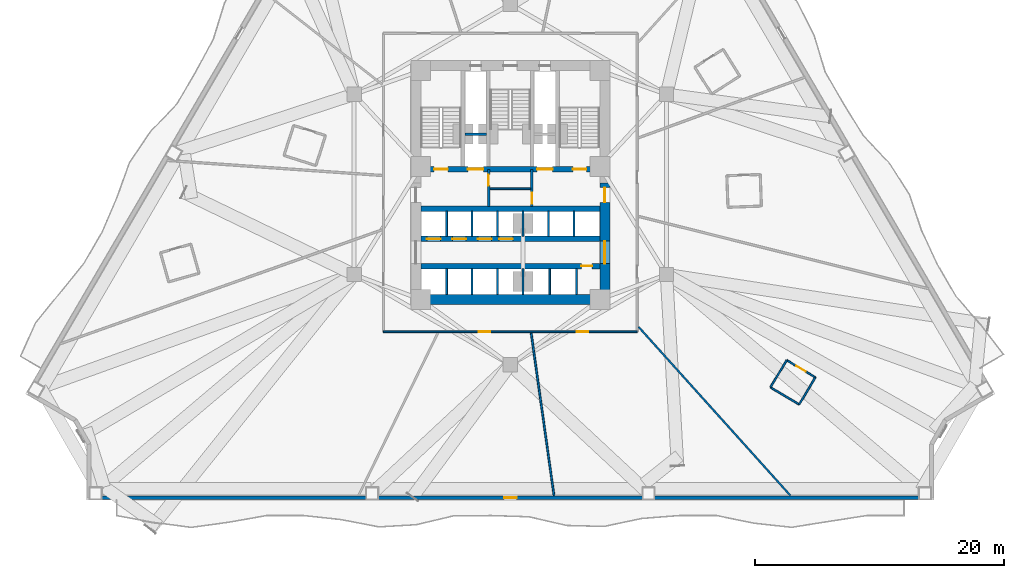
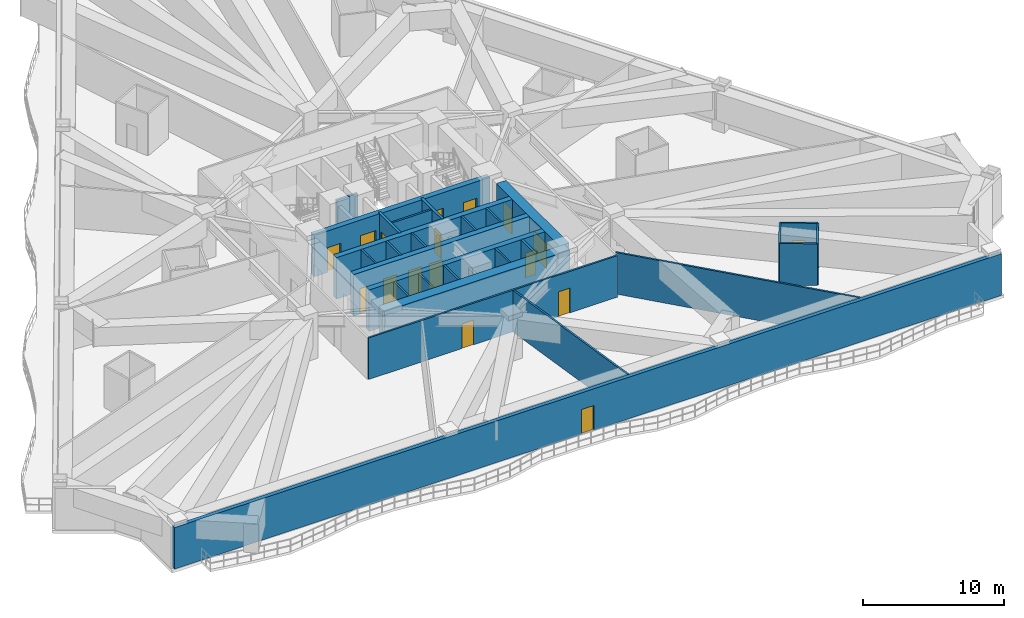
# One storey, part 8 of 16: 30 walls, 17 doors, 17 openings.
"""IFC4 building model written with IfcOpenShell, lengths in metres."""

from ifc_helpers import new_model, si_unit, direction, frame, frame_2d, origin, place, context, subcontext, project, spatial, rectangle, extrude, material, layer, layer_set, type_object, element, fill, save


model = new_model("IFC4")

# Units and contexts
model_context = context("Model", 3, precision=1e-05, world=origin(), true_north=direction((0.0, 1.0)))
body_context = subcontext(model_context, "Body", "Model", "MODEL_VIEW")
ifc_project = project(units=[si_unit("LENGTHUNIT", "METRE"), si_unit("AREAUNIT", "SQUARE_METRE"), si_unit("VOLUMEUNIT", "CUBIC_METRE"), si_unit("PLANEANGLEUNIT", "RADIAN"), si_unit("MASSUNIT", "GRAM", prefix="KILO")], contexts=[model_context])

# Site, building, storey
site_placement = place(None, origin())
site = spatial("IfcSite", under=ifc_project, at=site_placement, CompositionType="ELEMENT")
building_placement = place(site_placement, origin())
building = spatial("IfcBuilding", under=site, at=building_placement, Name="Apsidion Concourse Tower", CompositionType="ELEMENT")
storey_placement = place(building_placement, frame((0.0, 0.0, 58.39990234375)))
storey = spatial("IfcBuildingStorey", under=building, at=storey_placement, Name="L12", CompositionType="ELEMENT", Elevation=58.39990234375)

# Wall, opening, door
ifc_material_1 = material(Name="Precast concrete C40/50", Category="concrete")
ifc_layer_1 = layer(ifc_material_1, 0.320068359375)
ifc_layer_set_1 = layer_set([ifc_layer_1], Name="Precast concrete C40/50")
wall_type_1 = type_object("IfcWallType", Name="WL-EXT-320", PredefinedType="STANDARD", material=ifc_layer_set_1)
wall_1_placement = place(storey_placement, frame((33.88818359375, -25.199951171875, 0.0), z_axis=(0.0, 0.0, 1.0), x_axis=(-1.0, 0.0, 0.0)))
wall_1 = element("IfcWall", 1, at=wall_1_placement, inside=storey, type_object=wall_type_1, Name="L12 Precast Stone Facade Wall 05", PredefinedType="STANDARD", context=body_context, shape_type="SweptSolid", body=[
    extrude(rectangle(XDim=67.7763671875, YDim=0.320068359375, at=frame_2d((33.88818359375, 0.0))), origin(), (0.0, 0.0, 1.0), 3.60009765625),
])
opening_1_placement = place(wall_1_placement, frame((33.38818359375, 0.0, 0.0)))
opening_1 = element("IfcOpeningElement", 2, at=opening_1_placement, cuts=wall_1, Name="Opening D-T1R", PredefinedType="OPENING", context=body_context, shape_type="SweptSolid", body=[
    extrude(rectangle(XDim=1.0, YDim=2.14990234375, at=frame_2d((0.5, 1.074951171875))), frame((0.0, 0.169921875, 0.0), z_axis=(0.0, -1.0, 0.0), x_axis=(1.0, 0.0, 0.0)), (0.0, 0.0, 1.0), 0.340087890625),
])
ifc_material_2 = material(Name="Anodised aluminium EN AW-6063 T6", Category="aluminium")
door_type_1 = type_object("IfcDoorType", Name="DR-TER-1022R", OperationType="SINGLE_SWING_RIGHT", PredefinedType="DOOR", material=ifc_material_2)
door_1_placement = place(opening_1_placement, origin())
door_1 = element("IfcDoor", 3, at=door_1_placement, inside=storey, type_object=door_type_1, Name="L12 Balcony Access Door 2", OperationType="SINGLE_SWING_RIGHT", OverallHeight=2.14990234375, OverallWidth=1.0, PredefinedType="DOOR", context=body_context, shape_type="SweptSolid", body=[
    extrude(rectangle(XDim=1.0, YDim=2.14990234375, at=frame_2d((0.5, 1.074951171875))), frame((0.0, 0.02490234375, 0.0), z_axis=(0.0, -1.0, 0.0), x_axis=(1.0, 0.0, 0.0)), (0.0, 0.0, 1.0), 0.050048828125),
])
fill(opening_1, door_1)

# Walls
ifc_material_3 = material(Name="Gypsum plasterboard partition")
ifc_layer_2 = layer(ifc_material_3, 0.139892578125)
ifc_layer_set_2 = layer_set([ifc_layer_2], Name="Gypsum plasterboard partition")
wall_type_2 = type_object("IfcWallType", Name="WL-INT-PAR-140", PredefinedType="PARTITIONING", material=ifc_layer_set_2)
wall_2_placement = place(storey_placement, frame((20.92626953125, -16.315673828125, 0.0), z_axis=(0.0, 0.0, 1.0), x_axis=(0.858068996234, -0.513534417251, 0.0)))
element("IfcWall", 4, at=wall_2_placement, inside=storey, type_object=wall_type_2, Name="L12 Interior Partition WL-L12-POD-ENS04-S1", PredefinedType="PARTITIONING", context=body_context, shape_type="SweptSolid", body=[
    extrude(rectangle(XDim=2.68994140625, YDim=0.139892578125, at=frame_2d((1.344970703125, 0.0))), origin(), (0.0, 0.0, 1.0), 3.60009765625),
])
wall_3_placement = place(storey_placement, frame((23.234375, -17.697021484375, 0.0), z_axis=(0.0, 0.0, 1.0), x_axis=(0.51356253356, 0.858052168649, 0.0)))
element("IfcWall", 5, at=wall_3_placement, inside=storey, type_object=wall_type_2, Name="L12 Interior Partition WL-L12-POD-ENS04-S2", PredefinedType="PARTITIONING", context=body_context, shape_type="SweptSolid", body=[
    extrude(rectangle(XDim=2.5400390625, YDim=0.139892578125, at=frame_2d((1.27001953125, 0.0))), origin(), (0.0, 0.0, 1.0), 3.60009765625),
])

# Wall, opening, door
wall_4_placement = place(storey_placement, frame((24.538818359375, -15.517578125, 0.0), z_axis=(0.0, 0.0, 1.0), x_axis=(-0.858068996234, 0.513534417251, 0.0)))
wall_4 = element("IfcWall", 6, at=wall_4_placement, inside=storey, type_object=wall_type_2, Name="L12 Interior Partition WL-L12-POD-ENS04-S3", PredefinedType="PARTITIONING", context=body_context, shape_type="SweptSolid", body=[
    extrude(rectangle(XDim=2.68994140625, YDim=0.139892578125, at=frame_2d((1.344970703125, 0.0))), origin(), (0.0, 0.0, 1.0), 3.60009765625),
])
opening_2_placement = place(wall_4_placement, frame((0.905029296875, 0.0, 0.0)))
opening_2 = element("IfcOpeningElement", 7, at=opening_2_placement, cuts=wall_4, Name="Opening D-03L", PredefinedType="OPENING", context=body_context, shape_type="SweptSolid", body=[
    extrude(rectangle(XDim=0.8798828125, YDim=2.10009765625, at=frame_2d((0.43994140625, 1.050048828125))), frame((0.0, 0.080078125, 0.0), z_axis=(0.0, -1.0, 0.0), x_axis=(1.0, 0.0, 0.0)), (0.0, 0.0, 1.0), 0.159912109375),
])
door_type_2 = type_object("IfcDoorType", Name="DR-INT-D03L", OperationType="SINGLE_SWING_LEFT", PredefinedType="DOOR", material=ifc_material_2)
door_2_placement = place(opening_2_placement, origin())
door_2 = element("IfcDoor", 8, at=door_2_placement, inside=storey, type_object=door_type_2, Name="L12 Guest En-Suite Bathroom Door ENS04", OperationType="SINGLE_SWING_LEFT", OverallHeight=2.10009765625, OverallWidth=0.8798828125, PredefinedType="DOOR", context=body_context, shape_type="SweptSolid", body=[
    extrude(rectangle(XDim=0.8798828125, YDim=2.10009765625, at=frame_2d((0.43994140625, 1.050048828125))), frame((0.0, 0.02490234375, 0.0), z_axis=(0.0, -1.0, 0.0), x_axis=(1.0, 0.0, 0.0)), (0.0, 0.0, 1.0), 0.050048828125),
])
fill(opening_2, door_2)

# Walls
wall_5_placement = place(storey_placement, frame((22.230712890625, -14.13623046875, 0.0), z_axis=(0.0, 0.0, 1.0), x_axis=(-0.51356253356, -0.858052168649, 0.0)))
element("IfcWall", 9, at=wall_5_placement, inside=storey, type_object=wall_type_2, Name="L12 Interior Partition WL-L12-POD-ENS04-S4", PredefinedType="PARTITIONING", context=body_context, shape_type="SweptSolid", body=[
    extrude(rectangle(XDim=2.5400390625, YDim=0.139892578125, at=frame_2d((1.27001953125, 0.0))), origin(), (0.0, 0.0, 1.0), 3.60009765625),
])
ifc_layer_3 = layer(ifc_material_3, 0.14990234375)
ifc_layer_set_3 = layer_set([ifc_layer_3], Name="Gypsum plasterboard partition")
wall_type_3 = type_object("IfcWallType", Name="WL-INT-PAR-150", PredefinedType="PARTITIONING", material=ifc_layer_set_3)
for number, where, z_axis, x_axis, name in (
    (10, (-5.125, -4.179931640625, 0.0), (0.0, 0.0, 1.0), (0.0, 1.0, 0.0), "L12 Interior Partition WL-L12-B1DIV-1"),
    (11, (-3.074951171875, -4.179931640625, 0.0), (0.0, 0.0, 1.0), (0.0, 1.0, 0.0), "L12 Interior Partition WL-L12-B1DIV-2"),
    (12, (-1.02490234375, -4.179931640625, 0.0), (0.0, 0.0, 1.0), (0.0, 1.0, 0.0), "L12 Interior Partition WL-L12-B1DIV-3"),
    (13, (3.074951171875, -4.179931640625, 0.0), (0.0, 0.0, 1.0), (0.0, 1.0, 0.0), "L12 Interior Partition WL-L12-B3DIV-1"),
    (14, (5.125, -4.179931640625, 0.0), (0.0, 0.0, 1.0), (0.0, 1.0, 0.0), "L12 Interior Partition WL-L12-B3DIV-2"),
):
    element("IfcWall", number, at=place(storey_placement, frame(where, z_axis=z_axis, x_axis=x_axis)), inside=storey, type_object=wall_type_3, Name=name, PredefinedType="PARTITIONING", context=body_context, shape_type="SweptSolid", body=[
        extrude(rectangle(XDim=2.030029296875, YDim=0.14990234375, at=frame_2d((1.01513671875, 0.0))), origin(), (0.0, 0.0, 1.0), 3.60009765625),
    ])
for number, where, z_axis, x_axis, name in (
    (15, (-5.125, -8.85009765625, 0.0), (0.0, 0.0, 1.0), (0.0, 1.0, 0.0), "L12 Interior Partition WL-L12-B2DIV-1"),
    (16, (-3.074951171875, -8.85009765625, 0.0), (0.0, 0.0, 1.0), (0.0, 1.0, 0.0), "L12 Interior Partition WL-L12-B2DIV-2"),
    (17, (-1.02490234375, -8.85009765625, 0.0), (0.0, 0.0, 1.0), (0.0, 1.0, 0.0), "L12 Interior Partition WL-L12-B2DIV-3"),
    (18, (3.175048828125, -8.85009765625, 0.0), (0.0, 0.0, 1.0), (0.0, 1.0, 0.0), "L12 Interior Partition WL-L12-SHDIV-1"),
):
    element("IfcWall", number, at=place(storey_placement, frame(where, z_axis=z_axis, x_axis=x_axis)), inside=storey, type_object=wall_type_3, Name=name, PredefinedType="PARTITIONING", context=body_context, shape_type="SweptSolid", body=[
        extrude(rectangle(XDim=2.080078125, YDim=0.14990234375, at=frame_2d((1.0400390625, 0.0))), origin(), (0.0, 0.0, 1.0), 3.60009765625),
    ])
wall_6_placement = place(storey_placement, frame((-1.6298828125, -0.35009765625, 0.0), z_axis=(0.0, 0.0, 1.0), x_axis=(1.0, 0.0, 0.0)))
element("IfcWall", 19, at=wall_6_placement, inside=storey, type_object=wall_type_3, Name="L12 Interior Partition WL-L12-K2H", PredefinedType="PARTITIONING", context=body_context, shape_type="SweptSolid", body=[
    extrude(rectangle(XDim=3.259765625, YDim=0.14990234375, at=frame_2d((1.6298828125, 0.0))), origin(), (0.0, 0.0, 1.0), 3.60009765625),
])

# Wall, openings, doors
wall_7_placement = place(storey_placement, frame((10.199951171875, -11.85009765625, 0.0), z_axis=(0.0, 0.0, 1.0), x_axis=(-1.0, 0.0, 0.0)))
wall_7 = element("IfcWall", 20, at=wall_7_placement, inside=storey, type_object=wall_type_3, Name="L12 Interior Partition WL-L12-CORR-03", PredefinedType="PARTITIONING", context=body_context, shape_type="SweptSolid", body=[
    extrude(rectangle(XDim=20.39990234375, YDim=0.14990234375, at=frame_2d((10.199951171875, 0.0))), origin(), (0.0, 0.0, 1.0), 3.60009765625),
])
opening_3_placement = place(wall_7_placement, frame((11.795654296875, 0.0, 0.0)))
opening_3 = element("IfcOpeningElement", 21, at=opening_3_placement, cuts=wall_7, Name="Opening D-01L", PredefinedType="OPENING", context=body_context, shape_type="SweptSolid", body=[
    extrude(rectangle(XDim=0.949951171875, YDim=2.14990234375, at=frame_2d((0.47509765625, 1.074951171875))), frame((0.0, 0.0849609375, 0.0), z_axis=(0.0, -1.0, 0.0), x_axis=(1.0, 0.0, 0.0)), (0.0, 0.0, 1.0), 0.169921875),
])
opening_4_placement = place(wall_7_placement, frame((3.9130859375, 0.0, 0.0)))
opening_4 = element("IfcOpeningElement", 22, at=opening_4_placement, cuts=wall_7, Name="Opening D-01R", PredefinedType="OPENING", context=body_context, shape_type="SweptSolid", body=[
    extrude(rectangle(XDim=0.949951171875, YDim=2.14990234375, at=frame_2d((0.47509765625, 1.074951171875))), frame((0.0, 0.0849609375, 0.0), z_axis=(0.0, -1.0, 0.0), x_axis=(1.0, 0.0, 0.0)), (0.0, 0.0, 1.0), 0.169921875),
])
ifc_material_4 = material(Name="Brushed stainless steel 316", Category="steel")
door_type_3 = type_object("IfcDoorType", Name="DR-INT-D01L", OperationType="SINGLE_SWING_LEFT", PredefinedType="DOOR", material=ifc_material_4)
door_3_placement = place(opening_3_placement, origin())
door_3 = element("IfcDoor", 23, at=door_3_placement, inside=storey, type_object=door_type_3, Name="L12 Corridor Entry Door 03", OperationType="SINGLE_SWING_LEFT", OverallHeight=2.14990234375, OverallWidth=0.949951171875, PredefinedType="DOOR", context=body_context, shape_type="SweptSolid", body=[
    extrude(rectangle(XDim=0.949951171875, YDim=2.14990234375, at=frame_2d((0.47509765625, 1.074951171875))), frame((0.0, 0.02490234375, 0.0), z_axis=(0.0, -1.0, 0.0), x_axis=(1.0, 0.0, 0.0)), (0.0, 0.0, 1.0), 0.050048828125),
])
fill(opening_3, door_3)
door_type_4 = type_object("IfcDoorType", Name="DR-INT-D01R", OperationType="SINGLE_SWING_RIGHT", PredefinedType="DOOR", material=ifc_material_4)
door_4_placement = place(opening_4_placement, origin())
door_4 = element("IfcDoor", 24, at=door_4_placement, inside=storey, type_object=door_type_4, Name="L12 Corridor Entry Door 04", OperationType="SINGLE_SWING_RIGHT", OverallHeight=2.14990234375, OverallWidth=0.949951171875, PredefinedType="DOOR", context=body_context, shape_type="SweptSolid", body=[
    extrude(rectangle(XDim=0.949951171875, YDim=2.14990234375, at=frame_2d((0.47509765625, 1.074951171875))), frame((0.0, 0.02490234375, 0.0), z_axis=(0.0, -1.0, 0.0), x_axis=(1.0, 0.0, 0.0)), (0.0, 0.0, 1.0), 0.050048828125),
])
fill(opening_4, door_4)

# Walls
wall_8_placement = place(storey_placement, frame((1.68017578125, -11.955078125, 0.0), z_axis=(0.0, 0.0, 1.0), x_axis=(0.139178306215, -0.990267337177, 0.0)))
element("IfcWall", 25, at=wall_8_placement, inside=storey, type_object=wall_type_3, Name="L12 Interior Partition WL-L12-RAD-09-1", PredefinedType="PARTITIONING", context=body_context, shape_type="SweptSolid", body=[
    extrude(rectangle(XDim=13.1982421875, YDim=0.14990234375, at=frame_2d((6.59912109375, 0.0))), origin(), (0.0, 0.0, 1.0), 3.60009765625),
])
wall_9_placement = place(storey_placement, frame((10.304931640625, -11.44482421875, 0.0), z_axis=(0.0, 0.0, 1.0), x_axis=(0.669137434477, -0.743138677355, 0.0)))
element("IfcWall", 26, at=wall_9_placement, inside=storey, type_object=wall_type_3, Name="L12 Interior Partition WL-L12-RAD-10-1", PredefinedType="PARTITIONING", context=body_context, shape_type="SweptSolid", body=[
    extrude(rectangle(XDim=18.27392578125, YDim=0.14990234375, at=frame_2d((9.136962890625, 0.0))), origin(), (0.0, 0.0, 1.0), 3.60009765625),
])
ifc_layer_4 = layer(ifc_material_3, 0.179931640625)
ifc_layer_set_4 = layer_set([ifc_layer_4], Name="Gypsum plasterboard partition")
wall_type_4 = type_object("IfcWallType", Name="WL-INT-PAR-180", PredefinedType="PARTITIONING", material=ifc_layer_set_4)
wall_10_placement = place(storey_placement, frame((1.02490234375, -4.179931640625, 0.0), z_axis=(0.0, 0.0, 1.0), x_axis=(0.0, 1.0, 0.0)))
element("IfcWall", 27, at=wall_10_placement, inside=storey, type_object=wall_type_4, Name="L12 Interior Partition WL-L12-B1END", PredefinedType="PARTITIONING", context=body_context, shape_type="SweptSolid", body=[
    extrude(rectangle(XDim=2.030029296875, YDim=0.179931640625, at=frame_2d((1.01513671875, 0.0))), origin(), (0.0, 0.0, 1.0), 2.648193359375),
])
wall_11_placement = place(storey_placement, frame((1.02490234375, -8.85009765625, 0.0), z_axis=(0.0, 0.0, 1.0), x_axis=(0.0, 1.0, 0.0)))
element("IfcWall", 28, at=wall_11_placement, inside=storey, type_object=wall_type_4, Name="L12 Interior Partition WL-L12-B2END", PredefinedType="PARTITIONING", context=body_context, shape_type="SweptSolid", body=[
    extrude(rectangle(XDim=2.080078125, YDim=0.179931640625, at=frame_2d((1.0400390625, 0.0))), origin(), (0.0, 0.0, 1.0), 2.648193359375),
])
wall_12_placement = place(storey_placement, frame((5.324951171875, -8.85009765625, 0.0), z_axis=(0.0, 0.0, 1.0), x_axis=(0.0, 1.0, 0.0)))
element("IfcWall", 29, at=wall_12_placement, inside=storey, type_object=wall_type_4, Name="L12 Interior Partition WL-L12-SHDIV-2", PredefinedType="PARTITIONING", context=body_context, shape_type="SweptSolid", body=[
    extrude(rectangle(XDim=2.080078125, YDim=0.179931640625, at=frame_2d((1.0400390625, 0.0))), origin(), (0.0, 0.0, 1.0), 3.60009765625),
])
ifc_layer_5 = layer(ifc_material_3, 0.199951171875)
ifc_layer_set_5 = layer_set([ifc_layer_5], Name="Gypsum plasterboard partition")
wall_type_5 = type_object("IfcWallType", Name="WL-INT-PAR-200", PredefinedType="PARTITIONING", material=ifc_layer_set_5)
wall_13_placement = place(storey_placement, frame((-3.64990234375, 4.050048828125, 0.0), z_axis=(0.0, 0.0, 1.0), x_axis=(1.0, 0.0, 0.0)))
element("IfcWall", 30, at=wall_13_placement, inside=storey, type_object=wall_type_5, Name="L12 Interior Partition WL-L12-FF1-N", PredefinedType="PARTITIONING", context=body_context, shape_type="SweptSolid", body=[
    extrude(rectangle(XDim=1.72998046875, YDim=0.199951171875, at=frame_2d((0.864990234375, 0.0))), origin(), (0.0, 0.0, 1.0), 3.60009765625),
])

# Wall, opening, door
wall_14_placement = place(storey_placement, frame((-1.739990234375, -1.780029296875, 0.0), z_axis=(0.0, 0.0, 1.0), x_axis=(0.0, 1.0, 0.0)))
wall_14 = element("IfcWall", 31, at=wall_14_placement, inside=storey, type_object=wall_type_5, Name="L12 Interior Partition WL-L12-FF1-E", PredefinedType="PARTITIONING", context=body_context, shape_type="SweptSolid", body=[
    extrude(rectangle(XDim=2.97998046875, YDim=0.199951171875, at=frame_2d((1.489990234375, 0.0))), origin(), (0.0, 0.0, 1.0), 3.60009765625),
])
opening_5_placement = place(wall_14_placement, frame((1.68994140625, 0.0, 0.0)))
opening_5 = element("IfcOpeningElement", 32, at=opening_5_placement, cuts=wall_14, Name="Opening D-05L", PredefinedType="OPENING", context=body_context, shape_type="SweptSolid", body=[
    extrude(rectangle(XDim=0.8798828125, YDim=2.14990234375, at=frame_2d((0.43994140625, 1.074951171875))), frame((0.0, 0.10986328125, 0.0), z_axis=(0.0, -1.0, 0.0), x_axis=(1.0, 0.0, 0.0)), (0.0, 0.0, 1.0), 0.219970703125),
])
door_type_5 = type_object("IfcDoorType", Name="DR-INT-D05L", OperationType="SINGLE_SWING_LEFT", PredefinedType="DOOR", material=ifc_material_4)
door_5_placement = place(opening_5_placement, origin())
door_5 = element("IfcDoor", 33, at=door_5_placement, inside=storey, type_object=door_type_5, Name="L12 Core Staff WC Door", OperationType="SINGLE_SWING_LEFT", OverallHeight=2.14990234375, OverallWidth=0.8798828125, PredefinedType="DOOR", context=body_context, shape_type="SweptSolid", body=[
    extrude(rectangle(XDim=0.8798828125, YDim=2.14990234375, at=frame_2d((0.43994140625, 1.074951171875))), frame((0.0, 0.02490234375, 0.0), z_axis=(0.0, -1.0, 0.0), x_axis=(1.0, 0.0, 0.0)), (0.0, 0.0, 1.0), 0.050048828125),
])
fill(opening_5, door_5)

wall_15_placement = place(storey_placement, frame((1.739990234375, -1.780029296875, 0.0), z_axis=(0.0, 0.0, 1.0), x_axis=(0.0, 1.0, 0.0)))
wall_15 = element("IfcWall", 34, at=wall_15_placement, inside=storey, type_object=wall_type_5, Name="L12 Interior Partition WL-L12-FF2-W", PredefinedType="PARTITIONING", context=body_context, shape_type="SweptSolid", body=[
    extrude(rectangle(XDim=2.97998046875, YDim=0.199951171875, at=frame_2d((1.489990234375, 0.0))), origin(), (0.0, 0.0, 1.0), 3.60009765625),
])
opening_6_placement = place(wall_15_placement, frame((0.239990234375, 0.0, 0.0)))
opening_6 = element("IfcOpeningElement", 35, at=opening_6_placement, cuts=wall_15, Name="Opening D-05R", PredefinedType="OPENING", context=body_context, shape_type="SweptSolid", body=[
    extrude(rectangle(XDim=0.8798828125, YDim=2.14990234375, at=frame_2d((0.43994140625, 1.074951171875))), frame((0.0, 0.10986328125, 0.0), z_axis=(0.0, -1.0, 0.0), x_axis=(1.0, 0.0, 0.0)), (0.0, 0.0, 1.0), 0.219970703125),
])
door_type_6 = type_object("IfcDoorType", Name="DR-INT-D05R", OperationType="SINGLE_SWING_RIGHT", PredefinedType="DOOR", material=ifc_material_4)
door_6_placement = place(opening_6_placement, origin())
door_6 = element("IfcDoor", 36, at=door_6_placement, inside=storey, type_object=door_type_6, Name="L12 Core Supply Store Door", OperationType="SINGLE_SWING_RIGHT", OverallHeight=2.14990234375, OverallWidth=0.8798828125, PredefinedType="DOOR", context=body_context, shape_type="SweptSolid", body=[
    extrude(rectangle(XDim=0.8798828125, YDim=2.14990234375, at=frame_2d((0.43994140625, 1.074951171875))), frame((0.0, 0.02490234375, 0.0), z_axis=(0.0, -1.0, 0.0), x_axis=(1.0, 0.0, 0.0)), (0.0, 0.0, 1.0), 0.050048828125),
])
fill(opening_6, door_6)

# Wall, openings, doors
ifc_material_5 = material(Name="Concrete C60/75", Category="concrete")
ifc_layer_6 = layer(ifc_material_5, 0.449951171875)
ifc_layer_set_6 = layer_set([ifc_layer_6], Name="Concrete C60/75")
wall_type_6 = type_object("IfcWallType", Name="WL-SH-450", PredefinedType="SHEAR", material=ifc_layer_set_6)
wall_16_placement = place(storey_placement, frame((-7.199951171875, 1.22509765625, 0.0), z_axis=(0.0, 0.0, 1.0), x_axis=(1.0, 0.0, 0.0)))
wall_16 = element("IfcWall", 37, at=wall_16_placement, inside=storey, type_object=wall_type_6, Name="L12 Central Core Shear Wall M1", PredefinedType="SHEAR", context=body_context, shape_type="SweptSolid", body=[
    extrude(rectangle(XDim=14.39990234375, YDim=0.449951171875, at=frame_2d((7.199951171875, 0.0))), origin(), (0.0, 0.0, 1.0), 3.60009765625),
])
opening_7_placement = place(wall_16_placement, frame((3.794921875, 0.0, 0.0)))
opening_7 = element("IfcOpeningElement", 38, at=opening_7_placement, cuts=wall_16, Name="Opening LD-FF", PredefinedType="OPENING", context=body_context, shape_type="SweptSolid", body=[
    extrude(rectangle(XDim=1.25, YDim=2.25, at=frame_2d((0.625, 1.125))), frame((0.0, 0.23486328125, 0.0), z_axis=(0.0, -1.0, 0.0), x_axis=(1.0, 0.0, 0.0)), (0.0, 0.0, 1.0), 0.469970703125),
])
opening_8_placement = place(wall_16_placement, frame((9.35498046875, 0.0, 0.0)))
opening_8 = element("IfcOpeningElement", 39, at=opening_8_placement, cuts=wall_16, Name="Opening LD-FF", PredefinedType="OPENING", context=body_context, shape_type="SweptSolid", body=[
    extrude(rectangle(XDim=1.25, YDim=2.25, at=frame_2d((0.625, 1.125))), frame((0.0, 0.23486328125, 0.0), z_axis=(0.0, -1.0, 0.0), x_axis=(1.0, 0.0, 0.0)), (0.0, 0.0, 1.0), 0.469970703125),
])
opening_9_placement = place(wall_16_placement, frame((1.074951171875, 0.0, 0.0)))
opening_9 = element("IfcOpeningElement", 40, at=opening_9_placement, cuts=wall_16, Name="Opening D-STL", PredefinedType="OPENING", context=body_context, shape_type="SweptSolid", body=[
    extrude(rectangle(XDim=1.10009765625, YDim=2.14990234375, at=frame_2d((0.550048828125, 1.074951171875))), frame((0.0, 0.23486328125, 0.0), z_axis=(0.0, -1.0, 0.0), x_axis=(1.0, 0.0, 0.0)), (0.0, 0.0, 1.0), 0.469970703125),
])
opening_10_placement = place(wall_16_placement, frame((12.22509765625, 0.0, 0.0)))
opening_10 = element("IfcOpeningElement", 41, at=opening_10_placement, cuts=wall_16, Name="Opening D-STR", PredefinedType="OPENING", context=body_context, shape_type="SweptSolid", body=[
    extrude(rectangle(XDim=1.10009765625, YDim=2.14990234375, at=frame_2d((0.550048828125, 1.074951171875))), frame((0.0, 0.23486328125, 0.0), z_axis=(0.0, -1.0, 0.0), x_axis=(1.0, 0.0, 0.0)), (0.0, 0.0, 1.0), 0.469970703125),
])
door_type_7 = type_object("IfcDoorType", Name="DR-INT-ST1L", OperationType="SINGLE_SWING_LEFT", PredefinedType="DOOR", material=ifc_material_4)
door_7_placement = place(opening_9_placement, origin())
door_7 = element("IfcDoor", 42, at=door_7_placement, inside=storey, type_object=door_type_7, Name="L12 Core Exit Stair ST1 Door", OperationType="SINGLE_SWING_LEFT", OverallHeight=2.14990234375, OverallWidth=1.10009765625, PredefinedType="DOOR", context=body_context, shape_type="SweptSolid", body=[
    extrude(rectangle(XDim=1.10009765625, YDim=2.14990234375, at=frame_2d((0.550048828125, 1.074951171875))), frame((0.0, 0.02490234375, 0.0), z_axis=(0.0, -1.0, 0.0), x_axis=(1.0, 0.0, 0.0)), (0.0, 0.0, 1.0), 0.050048828125),
])
fill(opening_9, door_7)
door_type_8 = type_object("IfcDoorType", Name="DR-INT-ST1R", OperationType="SINGLE_SWING_RIGHT", PredefinedType="DOOR", material=ifc_material_4)
door_8_placement = place(opening_10_placement, origin())
door_8 = element("IfcDoor", 43, at=door_8_placement, inside=storey, type_object=door_type_8, Name="L12 Core Exit Stair ST2 Door", OperationType="SINGLE_SWING_RIGHT", OverallHeight=2.14990234375, OverallWidth=1.10009765625, PredefinedType="DOOR", context=body_context, shape_type="SweptSolid", body=[
    extrude(rectangle(XDim=1.10009765625, YDim=2.14990234375, at=frame_2d((0.550048828125, 1.074951171875))), frame((0.0, 0.02490234375, 0.0), z_axis=(0.0, -1.0, 0.0), x_axis=(1.0, 0.0, 0.0)), (0.0, 0.0, 1.0), 0.050048828125),
])
fill(opening_10, door_8)
door_type_9 = type_object("IfcDoorType", Name="DR-LD-FSAE", OperationType="DOUBLE_DOOR_SLIDING", PredefinedType="DOOR", material=ifc_material_4)
door_9_placement = place(opening_7_placement, origin())
door_9 = element("IfcDoor", 44, at=door_9_placement, inside=storey, type_object=door_type_9, Name="L12 Lift Landing Door FF1", OperationType="DOUBLE_DOOR_SLIDING", OverallHeight=2.25, OverallWidth=1.25, PredefinedType="DOOR", context=body_context, shape_type="SweptSolid", body=[
    extrude(rectangle(XDim=1.25, YDim=2.25, at=frame_2d((0.625, 1.125))), frame((0.0, 0.02490234375, 0.0), z_axis=(0.0, -1.0, 0.0), x_axis=(1.0, 0.0, 0.0)), (0.0, 0.0, 1.0), 0.050048828125),
])
fill(opening_7, door_9)
door_10_placement = place(opening_8_placement, origin())
door_10 = element("IfcDoor", 45, at=door_10_placement, inside=storey, type_object=door_type_9, Name="L12 Lift Landing Door FF2", OperationType="DOUBLE_DOOR_SLIDING", OverallHeight=2.25, OverallWidth=1.25, PredefinedType="DOOR", context=body_context, shape_type="SweptSolid", body=[
    extrude(rectangle(XDim=1.25, YDim=2.25, at=frame_2d((0.625, 1.125))), frame((0.0, 0.02490234375, 0.0), z_axis=(0.0, -1.0, 0.0), x_axis=(1.0, 0.0, 0.0)), (0.0, 0.0, 1.0), 0.050048828125),
])
fill(opening_8, door_10)

# Wall
wall_17_placement = place(storey_placement, frame((-7.199951171875, -1.949951171875, 0.0), z_axis=(0.0, 0.0, 1.0), x_axis=(1.0, 0.0, 0.0)))
element("IfcWall", 46, at=wall_17_placement, inside=storey, type_object=wall_type_6, Name="L12 Central Core Shear Wall M2", PredefinedType="SHEAR", context=body_context, shape_type="SweptSolid", body=[
    extrude(rectangle(XDim=14.39990234375, YDim=0.449951171875, at=frame_2d((7.199951171875, 0.0))), origin(), (0.0, 0.0, 1.0), 3.60009765625),
])

# Wall, openings, doors
wall_18_placement = place(storey_placement, frame((-7.199951171875, -4.3798828125, 0.0), z_axis=(0.0, 0.0, 1.0), x_axis=(1.0, 0.0, 0.0)))
wall_18 = element("IfcWall", 47, at=wall_18_placement, inside=storey, type_object=wall_type_6, Name="L12 Central Core Shear Wall LA", PredefinedType="SHEAR", context=body_context, shape_type="SweptSolid", body=[
    extrude(rectangle(XDim=14.39990234375, YDim=0.449951171875, at=frame_2d((7.199951171875, 0.0))), origin(), (0.0, 0.0, 1.0), 3.60009765625),
])
opening_11_placement = place(wall_18_placement, frame((0.5, 0.0, 0.0)))
opening_11 = element("IfcOpeningElement", 48, at=opening_11_placement, cuts=wall_18, Name="Opening LD-P1", PredefinedType="OPENING", context=body_context, shape_type="SweptSolid", body=[
    extrude(rectangle(XDim=1.10009765625, YDim=2.199951171875, at=frame_2d((0.550048828125, 1.10009765625))), frame((0.0, 0.23486328125, 0.0), z_axis=(0.0, -1.0, 0.0), x_axis=(1.0, 0.0, 0.0)), (0.0, 0.0, 1.0), 0.469970703125),
])
opening_12_placement = place(wall_18_placement, frame((2.550048828125, 0.0, 0.0)))
opening_12 = element("IfcOpeningElement", 49, at=opening_12_placement, cuts=wall_18, Name="Opening LD-P1", PredefinedType="OPENING", context=body_context, shape_type="SweptSolid", body=[
    extrude(rectangle(XDim=1.10009765625, YDim=2.199951171875, at=frame_2d((0.550048828125, 1.10009765625))), frame((0.0, 0.23486328125, 0.0), z_axis=(0.0, -1.0, 0.0), x_axis=(1.0, 0.0, 0.0)), (0.0, 0.0, 1.0), 0.469970703125),
])
opening_13_placement = place(wall_18_placement, frame((4.60009765625, 0.0, 0.0)))
opening_13 = element("IfcOpeningElement", 50, at=opening_13_placement, cuts=wall_18, Name="Opening LD-P1", PredefinedType="OPENING", context=body_context, shape_type="SweptSolid", body=[
    extrude(rectangle(XDim=1.10009765625, YDim=2.199951171875, at=frame_2d((0.550048828125, 1.10009765625))), frame((0.0, 0.23486328125, 0.0), z_axis=(0.0, -1.0, 0.0), x_axis=(1.0, 0.0, 0.0)), (0.0, 0.0, 1.0), 0.469970703125),
])
opening_14_placement = place(wall_18_placement, frame((6.300048828125, 0.0, 0.0)))
opening_14 = element("IfcOpeningElement", 51, at=opening_14_placement, cuts=wall_18, Name="Opening LD-P1", PredefinedType="OPENING", context=body_context, shape_type="SweptSolid", body=[
    extrude(rectangle(XDim=1.10009765625, YDim=2.199951171875, at=frame_2d((0.550048828125, 1.10009765625))), frame((0.0, 0.23486328125, 0.0), z_axis=(0.0, -1.0, 0.0), x_axis=(1.0, 0.0, 0.0)), (0.0, 0.0, 1.0), 0.469970703125),
])
door_type_10 = type_object("IfcDoorType", Name="DR-LD-PASS", OperationType="DOUBLE_DOOR_SLIDING", PredefinedType="DOOR", material=ifc_material_4)
door_11_placement = place(opening_11_placement, origin())
door_11 = element("IfcDoor", 52, at=door_11_placement, inside=storey, type_object=door_type_10, Name="L12 Lift Landing Door P1", OperationType="DOUBLE_DOOR_SLIDING", OverallHeight=2.199951171875, OverallWidth=1.10009765625, PredefinedType="DOOR", context=body_context, shape_type="SweptSolid", body=[
    extrude(rectangle(XDim=1.10009765625, YDim=2.199951171875, at=frame_2d((0.550048828125, 1.10009765625))), frame((0.0, 0.02490234375, 0.0), z_axis=(0.0, -1.0, 0.0), x_axis=(1.0, 0.0, 0.0)), (0.0, 0.0, 1.0), 0.050048828125),
])
fill(opening_11, door_11)
door_12_placement = place(opening_12_placement, origin())
door_12 = element("IfcDoor", 53, at=door_12_placement, inside=storey, type_object=door_type_10, Name="L12 Lift Landing Door P2", OperationType="DOUBLE_DOOR_SLIDING", OverallHeight=2.199951171875, OverallWidth=1.10009765625, PredefinedType="DOOR", context=body_context, shape_type="SweptSolid", body=[
    extrude(rectangle(XDim=1.10009765625, YDim=2.199951171875, at=frame_2d((0.550048828125, 1.10009765625))), frame((0.0, 0.02490234375, 0.0), z_axis=(0.0, -1.0, 0.0), x_axis=(1.0, 0.0, 0.0)), (0.0, 0.0, 1.0), 0.050048828125),
])
fill(opening_12, door_12)
door_13_placement = place(opening_13_placement, origin())
door_13 = element("IfcDoor", 54, at=door_13_placement, inside=storey, type_object=door_type_10, Name="L12 Lift Landing Door P3", OperationType="DOUBLE_DOOR_SLIDING", OverallHeight=2.199951171875, OverallWidth=1.10009765625, PredefinedType="DOOR", context=body_context, shape_type="SweptSolid", body=[
    extrude(rectangle(XDim=1.10009765625, YDim=2.199951171875, at=frame_2d((0.550048828125, 1.10009765625))), frame((0.0, 0.02490234375, 0.0), z_axis=(0.0, -1.0, 0.0), x_axis=(1.0, 0.0, 0.0)), (0.0, 0.0, 1.0), 0.050048828125),
])
fill(opening_13, door_13)
door_14_placement = place(opening_14_placement, origin())
door_14 = element("IfcDoor", 55, at=door_14_placement, inside=storey, type_object=door_type_10, Name="L12 Lift Landing Door P4", OperationType="DOUBLE_DOOR_SLIDING", OverallHeight=2.199951171875, OverallWidth=1.10009765625, PredefinedType="DOOR", context=body_context, shape_type="SweptSolid", body=[
    extrude(rectangle(XDim=1.10009765625, YDim=2.199951171875, at=frame_2d((0.550048828125, 1.10009765625))), frame((0.0, 0.02490234375, 0.0), z_axis=(0.0, -1.0, 0.0), x_axis=(1.0, 0.0, 0.0)), (0.0, 0.0, 1.0), 0.050048828125),
])
fill(opening_14, door_14)

# Wall, opening, door
wall_19_placement = place(storey_placement, frame((-7.199951171875, -6.570068359375, 0.0), z_axis=(0.0, 0.0, 1.0), x_axis=(1.0, 0.0, 0.0)))
wall_19 = element("IfcWall", 56, at=wall_19_placement, inside=storey, type_object=wall_type_6, Name="L12 Central Core Shear Wall LB", PredefinedType="SHEAR", context=body_context, shape_type="SweptSolid", body=[
    extrude(rectangle(XDim=14.39990234375, YDim=0.449951171875, at=frame_2d((7.199951171875, 0.0))), origin(), (0.0, 0.0, 1.0), 3.60009765625),
])
opening_15_placement = place(wall_19_placement, frame((12.909912109375, 0.0, 0.0)))
opening_15 = element("IfcOpeningElement", 57, at=opening_15_placement, cuts=wall_19, Name="Opening D-05L", PredefinedType="OPENING", context=body_context, shape_type="SweptSolid", body=[
    extrude(rectangle(XDim=0.8798828125, YDim=2.14990234375, at=frame_2d((0.43994140625, 1.074951171875))), frame((0.0, 0.23486328125, 0.0), z_axis=(0.0, -1.0, 0.0), x_axis=(1.0, 0.0, 0.0)), (0.0, 0.0, 1.0), 0.469970703125),
])
door_15_placement = place(opening_15_placement, origin())
door_15 = element("IfcDoor", 58, at=door_15_placement, inside=storey, type_object=door_type_5, Name="L12 Cleaners Store Door", OperationType="SINGLE_SWING_LEFT", OverallHeight=2.14990234375, OverallWidth=0.8798828125, PredefinedType="DOOR", context=body_context, shape_type="SweptSolid", body=[
    extrude(rectangle(XDim=0.8798828125, YDim=2.14990234375, at=frame_2d((0.43994140625, 1.074951171875))), frame((0.0, 0.02490234375, 0.0), z_axis=(0.0, -1.0, 0.0), x_axis=(1.0, 0.0, 0.0)), (0.0, 0.0, 1.0), 0.050048828125),
])
fill(opening_15, door_15)

# Wall, openings, doors
ifc_layer_7 = layer(ifc_material_5, 0.800048828125)
ifc_layer_set_7 = layer_set([ifc_layer_7], Name="Concrete C60/75")
wall_type_7 = type_object("IfcWallType", Name="WL-SH-800", PredefinedType="SHEAR", material=ifc_layer_set_7)
wall_20_placement = place(storey_placement, frame((7.60009765625, -8.85009765625, 0.0), z_axis=(0.0, 0.0, 1.0), x_axis=(0.0, 1.0, 0.0)))
wall_20 = element("IfcWall", 59, at=wall_20_placement, inside=storey, type_object=wall_type_7, Name="L12 Central Core Shear Wall ES", PredefinedType="SHEAR", context=body_context, shape_type="SweptSolid", body=[
    extrude(rectangle(XDim=8.9501953125, YDim=0.800048828125, at=frame_2d((4.47509765625, 0.0))), origin(), (0.0, 0.0, 1.0), 3.60009765625),
])
opening_16_placement = place(wall_20_placement, frame((2.489990234375, 0.0, 0.0)))
opening_16 = element("IfcOpeningElement", 60, at=opening_16_placement, cuts=wall_20, Name="Opening D-06D", PredefinedType="OPENING", context=body_context, shape_type="SweptSolid", body=[
    extrude(rectangle(XDim=1.800048828125, YDim=2.199951171875, at=frame_2d((0.89990234375, 1.10009765625))), frame((0.0, 0.41015625, 0.0), z_axis=(0.0, -1.0, 0.0), x_axis=(1.0, 0.0, 0.0)), (0.0, 0.0, 1.0), 0.820068359375),
])
opening_17_placement = place(wall_20_placement, frame((7.39990234375, 0.0, 0.0)))
opening_17 = element("IfcOpeningElement", 61, at=opening_17_placement, cuts=wall_20, Name="Opening D-FFR", PredefinedType="OPENING", context=body_context, shape_type="SweptSolid", body=[
    extrude(rectangle(XDim=1.199951171875, YDim=2.14990234375, at=frame_2d((0.60009765625, 1.074951171875))), frame((0.0, 0.41015625, 0.0), z_axis=(0.0, -1.0, 0.0), x_axis=(1.0, 0.0, 0.0)), (0.0, 0.0, 1.0), 0.820068359375),
])
door_type_11 = type_object("IfcDoorType", Name="DR-INT-D06D", OperationType="DOUBLE_DOOR_SINGLE_SWING", PredefinedType="DOOR", material=ifc_material_4)
door_16_placement = place(opening_16_placement, origin())
door_16 = element("IfcDoor", 62, at=door_16_placement, inside=storey, type_object=door_type_11, Name="L12 Passenger Lift Lobby ES Portal Door", OperationType="DOUBLE_DOOR_SINGLE_SWING", OverallHeight=2.199951171875, OverallWidth=1.800048828125, PredefinedType="DOOR", context=body_context, shape_type="SweptSolid", body=[
    extrude(rectangle(XDim=1.800048828125, YDim=2.199951171875, at=frame_2d((0.89990234375, 1.10009765625))), frame((0.0, 0.02490234375, 0.0), z_axis=(0.0, -1.0, 0.0), x_axis=(1.0, 0.0, 0.0)), (0.0, 0.0, 1.0), 0.050048828125),
])
fill(opening_16, door_16)
door_type_12 = type_object("IfcDoorType", Name="DR-INT-FFR", OperationType="SINGLE_SWING_RIGHT", PredefinedType="DOOR", material=ifc_material_4)
door_17_placement = place(opening_17_placement, origin())
door_17 = element("IfcDoor", 63, at=door_17_placement, inside=storey, type_object=door_type_12, Name="L12 Firefighting Lift Lobby FF2 Door", OperationType="SINGLE_SWING_RIGHT", OverallHeight=2.14990234375, OverallWidth=1.199951171875, PredefinedType="DOOR", context=body_context, shape_type="SweptSolid", body=[
    extrude(rectangle(XDim=1.199951171875, YDim=2.14990234375, at=frame_2d((0.60009765625, 1.074951171875))), frame((0.0, 0.02490234375, 0.0), z_axis=(0.0, -1.0, 0.0), x_axis=(1.0, 0.0, 0.0)), (0.0, 0.0, 1.0), 0.050048828125),
])
fill(opening_17, door_17)

# Wall
wall_21_placement = place(storey_placement, frame((-7.60009765625, -9.25, 0.0), z_axis=(0.0, 0.0, 1.0), x_axis=(1.0, 0.0, 0.0)))
element("IfcWall", 64, at=wall_21_placement, inside=storey, type_object=wall_type_7, Name="L12 Central Core Shear Wall S", PredefinedType="SHEAR", context=body_context, shape_type="SweptSolid", body=[
    extrude(rectangle(XDim=15.2001953125, YDim=0.800048828125, at=frame_2d((7.60009765625, 0.0))), origin(), (0.0, 0.0, 1.0), 3.60009765625),
])

save(model, "model.ifc")
